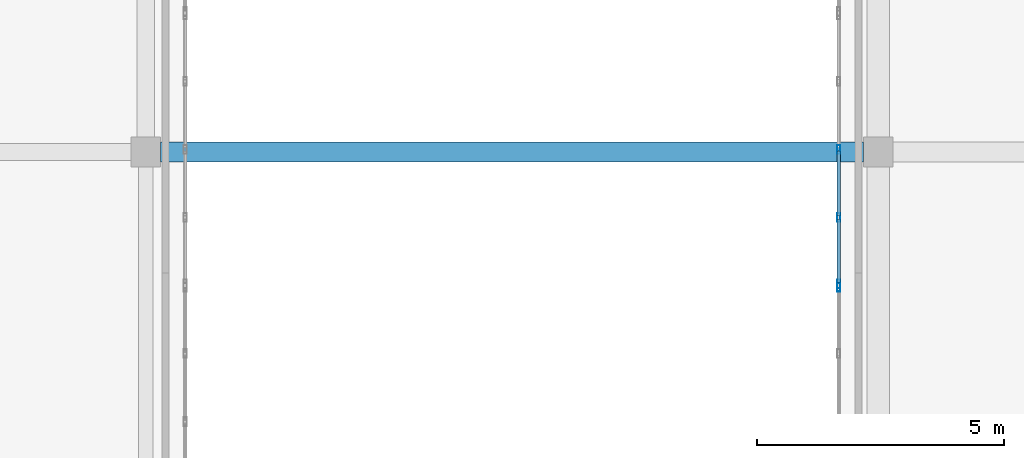
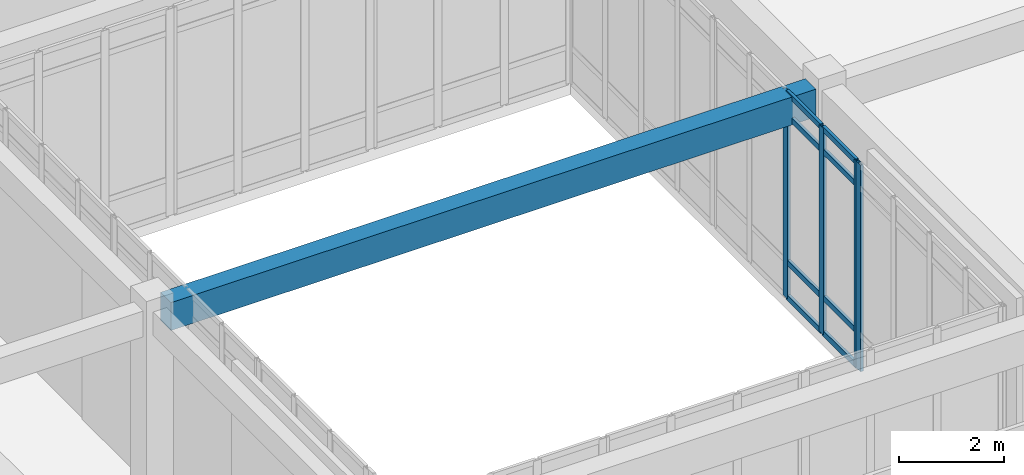
# One storey, part 64 of 121: 12 members, 1 beam, 2 elements without a shape of their own.
"""IFC4 building model written with IfcOpenShell, lengths in metres."""

from ifc_helpers import new_model, si_unit, direction, frame, origin, origin_2d, place, context, subcontext, project, spatial, rectangle, hollow_rectangle, extrude, material, layer, layer_set, material_profile, profile_set, type_object, element, aggregate, save


model = new_model("IFC4")

# Units and contexts
model_context = context("Model", 3, precision=1e-05, world=origin(), true_north=direction((0.0, 1.0)))
body_context = subcontext(model_context, "Body", "Model", "MODEL_VIEW")
ifc_project = project(units=[si_unit("LENGTHUNIT", "METRE"), si_unit("AREAUNIT", "SQUARE_METRE"), si_unit("VOLUMEUNIT", "CUBIC_METRE"), si_unit("PLANEANGLEUNIT", "RADIAN"), si_unit("MASSUNIT", "GRAM", prefix="KILO")], contexts=[model_context])

# Site, building, storey
site_placement = place(None, origin())
site = spatial("IfcSite", under=ifc_project, at=site_placement, CompositionType="ELEMENT")
building_placement = place(site_placement, origin())
building = spatial("IfcBuilding", under=site, at=building_placement, Name="Valcora Specialist Clinic", CompositionType="ELEMENT")
storey_placement = place(building_placement, origin())
storey = spatial("IfcBuildingStorey", under=building, at=storey_placement, Name="L00", CompositionType="ELEMENT", Elevation=0.0)

# Beam
ifc_material_1 = material(Name="Concrete C40/50", Category="concrete")
ifc_material_profile_1 = material_profile(ifc_material_1, rectangle(XDim=0.39990234375, YDim=0.64990234375, at=origin_2d()), Name="RC-BM-400X650")
ifc_profile_set_1 = profile_set([ifc_material_profile_1], Name="Concrete C40/50")
beam_type = type_object("IfcBeamType", Name="TY-BM-RC400X650", PredefinedType="BEAM", material=ifc_profile_set_1)
beam_placement = place(storey_placement, frame((111.5, 90.199951171875, 4.485107421875), z_axis=(1.0, 0.0, 0.0), x_axis=(0.0, 1.0, 0.0)))
element("IfcBeam", 1, at=beam_placement, inside=storey, type_object=beam_type, Name="Beam BM-L00-0555", PredefinedType="BEAM", context=body_context, shape_type="SweptSolid", body=[
    extrude(rectangle(XDim=0.39990234375, YDim=0.64990234375, at=origin_2d()), origin(), (0.0, 0.0, 1.0), 14.199951171875),
])

# Curtain wall, member
ifc_material_2 = material(Name="Anodized Bronze Aluminium 6063-T6", Category="aluminium")
ifc_layer = layer(ifc_material_2, 0.175048828125)
ifc_layer_set = layer_set([ifc_layer], Name="Anodized Bronze Aluminium 6063-T6")
curtain_wall_type = type_object("IfcCurtainWallType", Name="TY-CW-CRT15", PredefinedType="NOTDEFINED", material=ifc_layer_set)
curtain_wall_1_placement = place(storey_placement, origin())
curtain_wall_1 = element("IfcCurtainWall", 2, at=curtain_wall_1_placement, inside=storey, type_object=curtain_wall_type, Name="Curtain wall CW-L00-044", PredefinedType="NOTDEFINED")
ifc_material_profile_2 = material_profile(ifc_material_2, hollow_rectangle(XDim=0.06494140625, YDim=0.175048828125, WallThickness=0.00390625, at=origin_2d()), Name="AL-MUL-65X175")
ifc_profile_set_2 = profile_set([ifc_material_profile_2], Name="Anodized Bronze Aluminium 6063-T6")
member_type_1 = type_object("IfcMemberType", Name="TY-CWM-65X175", PredefinedType="MULLION", material=ifc_profile_set_2)
member_1_placement = place(storey_placement, frame((125.199951171875, 87.467529296875, 0.0), z_axis=(0.0, 0.0, 1.0), x_axis=(-1.0, 0.0, 0.0)))
member_1 = element("IfcMember", 3, at=member_1_placement, type_object=member_type_1, Name="CW-CRT-15 mullion 5", PredefinedType="MULLION", context=body_context, shape_type="SweptSolid", body=[
    extrude(hollow_rectangle(XDim=0.06494140625, YDim=0.175048828125, WallThickness=0.00390625, at=origin_2d()), origin(), (0.0, 0.0, 1.0), 4.81005859375),
])
aggregate(curtain_wall_1, [member_1])

# Curtain wall, members
curtain_wall_2_placement = place(storey_placement, origin())
curtain_wall_2 = element("IfcCurtainWall", 4, at=curtain_wall_2_placement, inside=storey, type_object=curtain_wall_type, Name="Curtain wall CW-L00-045", PredefinedType="NOTDEFINED")
member_2_placement = place(storey_placement, frame((125.199951171875, 87.532470703125, 0.0), z_axis=(0.0, 0.0, 1.0), x_axis=(-1.0, 0.0, 0.0)))
member_2 = element("IfcMember", 5, at=member_2_placement, type_object=member_type_1, Name="CW-CRT-15 mullion 1", PredefinedType="MULLION", context=body_context, shape_type="SweptSolid", body=[
    extrude(hollow_rectangle(XDim=0.06494140625, YDim=0.175048828125, WallThickness=0.00390625, at=origin_2d()), origin(), (0.0, 0.0, 1.0), 4.81005859375),
])
member_3_placement = place(storey_placement, frame((125.199951171875, 88.875, 0.0), z_axis=(0.0, 0.0, 1.0), x_axis=(-1.0, 0.0, 0.0)))
member_3 = element("IfcMember", 6, at=member_3_placement, type_object=member_type_1, Name="CW-CRT-15 mullion 2", PredefinedType="MULLION", context=body_context, shape_type="SweptSolid", body=[
    extrude(hollow_rectangle(XDim=0.06494140625, YDim=0.175048828125, WallThickness=0.00390625, at=origin_2d()), origin(), (0.0, 0.0, 1.0), 4.81005859375),
])
member_4_placement = place(storey_placement, frame((125.199951171875, 90.25, 0.0), z_axis=(0.0, 0.0, 1.0), x_axis=(-1.0, 0.0, 0.0)))
member_4 = element("IfcMember", 7, at=member_4_placement, type_object=member_type_1, Name="CW-CRT-15 mullion 3", PredefinedType="MULLION", context=body_context, shape_type="SweptSolid", body=[
    extrude(hollow_rectangle(XDim=0.06494140625, YDim=0.175048828125, WallThickness=0.00390625, at=origin_2d()), origin(), (0.0, 0.0, 1.0), 4.81005859375),
])
ifc_material_profile_3 = material_profile(ifc_material_2, hollow_rectangle(XDim=0.06494140625, YDim=0.1298828125, WallThickness=0.00390625, at=origin_2d()), Name="AL-TRN-65X130")
ifc_profile_set_3 = profile_set([ifc_material_profile_3], Name="Anodized Bronze Aluminium 6063-T6")
member_type_2 = type_object("IfcMemberType", Name="TY-CWT-65X130", PredefinedType="USERDEFINED", material=ifc_profile_set_3)
member_5_placement = place(storey_placement, frame((125.199951171875, 87.56494140625, 0.032470703125), z_axis=(0.0, 1.0, 0.0), x_axis=(-1.0, 0.0, 0.0)))
member_5 = element("IfcMember", 8, at=member_5_placement, type_object=member_type_2, Name="CW-CRT-15 transom 1.1", ObjectType="TRANSOM", PredefinedType="USERDEFINED", context=body_context, shape_type="SweptSolid", body=[
    extrude(hollow_rectangle(XDim=0.06494140625, YDim=0.1298828125, WallThickness=0.00390625, at=origin_2d()), origin(), (0.0, 0.0, 1.0), 1.277587890625),
])
member_6_placement = place(storey_placement, frame((125.199951171875, 87.56494140625, 0.85009765625), z_axis=(0.0, 1.0, 0.0), x_axis=(-1.0, 0.0, 0.0)))
member_6 = element("IfcMember", 9, at=member_6_placement, type_object=member_type_2, Name="CW-CRT-15 transom 1.2", ObjectType="TRANSOM", PredefinedType="USERDEFINED", context=body_context, shape_type="SweptSolid", body=[
    extrude(hollow_rectangle(XDim=0.06494140625, YDim=0.1298828125, WallThickness=0.00390625, at=origin_2d()), origin(), (0.0, 0.0, 1.0), 1.277587890625),
])
member_7_placement = place(storey_placement, frame((125.199951171875, 87.56494140625, 4.260009765625), z_axis=(0.0, 1.0, 0.0), x_axis=(-1.0, 0.0, 0.0)))
member_7 = element("IfcMember", 10, at=member_7_placement, type_object=member_type_2, Name="CW-CRT-15 transom 1.3", ObjectType="TRANSOM", PredefinedType="USERDEFINED", context=body_context, shape_type="SweptSolid", body=[
    extrude(hollow_rectangle(XDim=0.06494140625, YDim=0.1298828125, WallThickness=0.00390625, at=origin_2d()), origin(), (0.0, 0.0, 1.0), 1.277587890625),
])
member_8_placement = place(storey_placement, frame((125.199951171875, 87.56494140625, 4.777587890625), z_axis=(0.0, 1.0, 0.0), x_axis=(-1.0, 0.0, 0.0)))
member_8 = element("IfcMember", 11, at=member_8_placement, type_object=member_type_2, Name="CW-CRT-15 transom 1.4", ObjectType="TRANSOM", PredefinedType="USERDEFINED", context=body_context, shape_type="SweptSolid", body=[
    extrude(hollow_rectangle(XDim=0.06494140625, YDim=0.1298828125, WallThickness=0.00390625, at=origin_2d()), origin(), (0.0, 0.0, 1.0), 1.277587890625),
])
member_9_placement = place(storey_placement, frame((125.199951171875, 88.907470703125, 0.032470703125), z_axis=(0.0, 1.0, 0.0), x_axis=(-1.0, 0.0, 0.0)))
member_9 = element("IfcMember", 12, at=member_9_placement, type_object=member_type_2, Name="CW-CRT-15 transom 2.1", ObjectType="TRANSOM", PredefinedType="USERDEFINED", context=body_context, shape_type="SweptSolid", body=[
    extrude(hollow_rectangle(XDim=0.06494140625, YDim=0.1298828125, WallThickness=0.00390625, at=origin_2d()), origin(), (0.0, 0.0, 1.0), 1.31005859375),
])
member_10_placement = place(storey_placement, frame((125.199951171875, 88.907470703125, 0.85009765625), z_axis=(0.0, 1.0, 0.0), x_axis=(-1.0, 0.0, 0.0)))
member_10 = element("IfcMember", 13, at=member_10_placement, type_object=member_type_2, Name="CW-CRT-15 transom 2.2", ObjectType="TRANSOM", PredefinedType="USERDEFINED", context=body_context, shape_type="SweptSolid", body=[
    extrude(hollow_rectangle(XDim=0.06494140625, YDim=0.1298828125, WallThickness=0.00390625, at=origin_2d()), origin(), (0.0, 0.0, 1.0), 1.31005859375),
])
member_11_placement = place(storey_placement, frame((125.199951171875, 88.907470703125, 4.260009765625), z_axis=(0.0, 1.0, 0.0), x_axis=(-1.0, 0.0, 0.0)))
member_11 = element("IfcMember", 14, at=member_11_placement, type_object=member_type_2, Name="CW-CRT-15 transom 2.3", ObjectType="TRANSOM", PredefinedType="USERDEFINED", context=body_context, shape_type="SweptSolid", body=[
    extrude(hollow_rectangle(XDim=0.06494140625, YDim=0.1298828125, WallThickness=0.00390625, at=origin_2d()), origin(), (0.0, 0.0, 1.0), 1.31005859375),
])
member_12_placement = place(storey_placement, frame((125.199951171875, 88.907470703125, 4.777587890625), z_axis=(0.0, 1.0, 0.0), x_axis=(-1.0, 0.0, 0.0)))
member_12 = element("IfcMember", 15, at=member_12_placement, type_object=member_type_2, Name="CW-CRT-15 transom 2.4", ObjectType="TRANSOM", PredefinedType="USERDEFINED", context=body_context, shape_type="SweptSolid", body=[
    extrude(hollow_rectangle(XDim=0.06494140625, YDim=0.1298828125, WallThickness=0.00390625, at=origin_2d()), origin(), (0.0, 0.0, 1.0), 1.31005859375),
])
aggregate(curtain_wall_2, [member_2, member_3, member_4, member_5, member_6, member_7, member_8, member_9, member_10, member_11, member_12])

save(model, "model.ifc")
